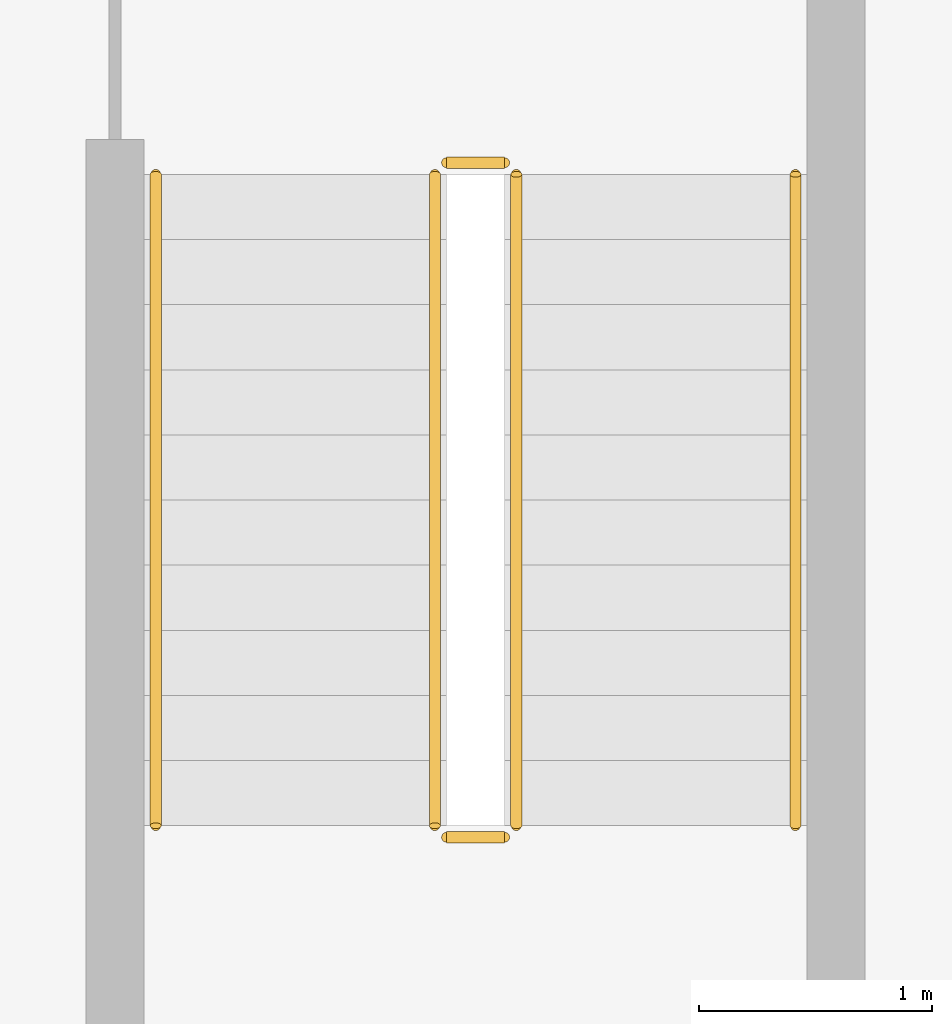
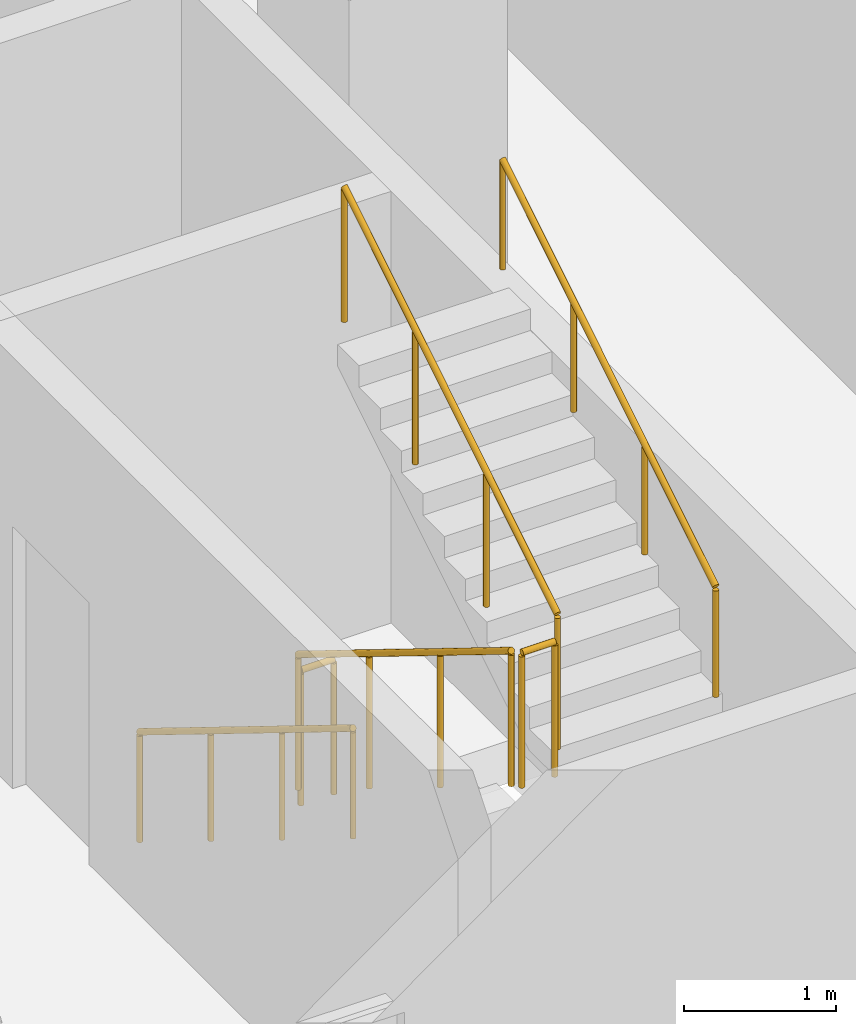
# One storey, part 23 of 27: 6 railings.
"""IFC4 building model written with IfcOpenShell, lengths in metres."""

from ifc_helpers import new_model, si_unit, direction, frame, origin, origin_2d, place, context, subcontext, project, spatial, circle, extrude, material, type_object, element, save


model = new_model("IFC4")

# Units and contexts
model_context = context("Model", 3, precision=1e-05, world=origin(), true_north=direction((0.0, 1.0)))
body_context = subcontext(model_context, "Body", "Model", "MODEL_VIEW")
ifc_project = project(units=[si_unit("LENGTHUNIT", "METRE"), si_unit("AREAUNIT", "SQUARE_METRE"), si_unit("VOLUMEUNIT", "CUBIC_METRE"), si_unit("PLANEANGLEUNIT", "RADIAN"), si_unit("MASSUNIT", "GRAM", prefix="KILO")], contexts=[model_context])

# Site, building, storey
site_placement = place(None, origin())
site = spatial("IfcSite", under=ifc_project, at=site_placement, CompositionType="ELEMENT")
building_placement = place(site_placement, origin())
building = spatial("IfcBuilding", under=site, at=building_placement, Name="Mahtab Terrace Research Tower", CompositionType="ELEMENT")
storey_placement = place(building_placement, frame((0.0, 0.0, 166.800048828125)))
storey = spatial("IfcBuildingStorey", under=building, at=storey_placement, Name="L39", CompositionType="ELEMENT", Elevation=166.800048828125)

# Railings
ifc_material = material(Name="Stainless steel AISI 304", Category="steel")
railing_type_1 = type_object("IfcRailingType", Name="Stair guard 1100", PredefinedType="GUARDRAIL", material=ifc_material)
railing_1_placement = place(storey_placement, frame((2.949951171875, -4.175048828125, 0.172607421875)))
element("IfcRailing", 1, at=railing_1_placement, inside=storey, type_object=railing_type_1, Name="L39 ST2 stair guard 1", PredefinedType="GUARDRAIL", context=body_context, shape_type="SweptSolid", body=[
    extrude(circle(Radius=0.02392578125, at=origin_2d()), frame((0.0, 0.0, 1.076171875), z_axis=(0.0, -0.851089632645, 0.525020415988), x_axis=(1.0, 0.0, 0.0)), (0.0, 0.0, 1.0), 3.2900390625),
    extrude(circle(Radius=0.02099609375, at=origin_2d()), origin(), (0.0, 0.0, 1.0), 1.052001953125),
    extrude(circle(Radius=0.02099609375, at=origin_2d()), frame((0.0, -0.933349609375, 0.57568359375)), (0.0, 0.0, 1.0), 1.052001953125),
    extrude(circle(Radius=0.02099609375, at=origin_2d()), frame((0.0, -1.86669921875, 1.151611328125)), (0.0, 0.0, 1.0), 1.052001953125),
    extrude(circle(Radius=0.02099609375, at=origin_2d()), frame((0.0, -2.800048828125, 1.727294921875)), (0.0, 0.0, 1.0), 1.052001953125),
])
railing_2_placement = place(storey_placement, frame((3.0, -7.02490234375, 1.89990234375)))
element("IfcRailing", 2, at=railing_2_placement, inside=storey, type_object=railing_type_1, Name="L39 ST2 stair guard 2", PredefinedType="GUARDRAIL", context=body_context, shape_type="SweptSolid", body=[
    extrude(circle(Radius=0.02392578125, at=origin_2d()), frame((0.0, 0.0, 1.076171875), z_axis=(1.0, 0.0, 0.0), x_axis=(0.0, 1.0, 0.0)), (0.0, 0.0, 1.0), 0.25),
    extrude(circle(Radius=0.02099609375, at=origin_2d()), origin(), (0.0, 0.0, 1.0), 1.052001953125),
    extrude(circle(Radius=0.02099609375, at=origin_2d()), frame((0.25, 0.0, 0.0)), (0.0, 0.0, 1.0), 1.052001953125),
])
railing_3_placement = place(storey_placement, frame((3.300048828125, -6.97509765625, 2.07275390625)))
element("IfcRailing", 3, at=railing_3_placement, inside=storey, type_object=railing_type_1, Name="L39 ST2 stair guard 3", PredefinedType="GUARDRAIL", context=body_context, shape_type="SweptSolid", body=[
    extrude(circle(Radius=0.02392578125, at=origin_2d()), frame((0.0, 0.0, 1.076171875), z_axis=(0.0, 0.851089632645, 0.525020415988), x_axis=(-1.0, 0.0, 0.0)), (0.0, 0.0, 1.0), 3.2900390625),
    extrude(circle(Radius=0.02099609375, at=origin_2d()), origin(), (0.0, 0.0, 1.0), 1.052001953125),
    extrude(circle(Radius=0.02099609375, at=origin_2d()), frame((0.0, 0.933349609375, 0.57568359375)), (0.0, 0.0, 1.0), 1.052001953125),
    extrude(circle(Radius=0.02099609375, at=origin_2d()), frame((0.0, 1.86669921875, 1.151611328125)), (0.0, 0.0, 1.0), 1.052001953125),
    extrude(circle(Radius=0.02099609375, at=origin_2d()), frame((0.0, 2.800048828125, 1.727294921875)), (0.0, 0.0, 1.0), 1.052001953125),
])
railing_4_placement = place(storey_placement, frame((3.0, -4.125, 0.0)))
element("IfcRailing", 4, at=railing_4_placement, inside=storey, type_object=railing_type_1, Name="L39 ST2 stair guard 4", PredefinedType="GUARDRAIL", context=body_context, shape_type="SweptSolid", body=[
    extrude(circle(Radius=0.02392578125, at=origin_2d()), frame((0.0, 0.0, 1.076171875), z_axis=(1.0, 0.0, 0.0), x_axis=(0.0, 1.0, 0.0)), (0.0, 0.0, 1.0), 0.25),
    extrude(circle(Radius=0.02099609375, at=origin_2d()), origin(), (0.0, 0.0, 1.0), 1.052001953125),
    extrude(circle(Radius=0.02099609375, at=origin_2d()), frame((0.25, 0.0, 0.0)), (0.0, 0.0, 1.0), 1.052001953125),
])
railing_type_2 = type_object("IfcRailingType", Name="Stair handrail 900", PredefinedType="HANDRAIL", material=ifc_material)
railing_5_placement = place(storey_placement, frame((1.75, -4.175048828125, 0.172607421875)))
element("IfcRailing", 5, at=railing_5_placement, inside=storey, type_object=railing_type_2, Name="L39 ST2 stair handrail 1", PredefinedType="HANDRAIL", context=body_context, shape_type="SweptSolid", body=[
    extrude(circle(Radius=0.02392578125, at=origin_2d()), frame((0.0, 0.0, 0.8759765625), z_axis=(0.0, -0.851089632645, 0.525020415988), x_axis=(1.0, 0.0, 0.0)), (0.0, 0.0, 1.0), 3.2900390625),
    extrude(circle(Radius=0.02099609375, at=origin_2d()), origin(), (0.0, 0.0, 1.0), 0.851806640625),
    extrude(circle(Radius=0.02099609375, at=origin_2d()), frame((0.0, -0.933349609375, 0.57568359375)), (0.0, 0.0, 1.0), 0.851806640625),
    extrude(circle(Radius=0.02099609375, at=origin_2d()), frame((0.0, -1.86669921875, 1.151611328125)), (0.0, 0.0, 1.0), 0.851806640625),
    extrude(circle(Radius=0.02099609375, at=origin_2d()), frame((0.0, -2.800048828125, 1.727294921875)), (0.0, 0.0, 1.0), 0.851806640625),
])
railing_6_placement = place(storey_placement, frame((4.5, -6.97509765625, 2.07275390625)))
element("IfcRailing", 6, at=railing_6_placement, inside=storey, type_object=railing_type_2, Name="L39 ST2 stair handrail 2", PredefinedType="HANDRAIL", context=body_context, shape_type="SweptSolid", body=[
    extrude(circle(Radius=0.02392578125, at=origin_2d()), frame((0.0, 0.0, 0.8759765625), z_axis=(0.0, 0.851089632645, 0.525020415988), x_axis=(-1.0, 0.0, 0.0)), (0.0, 0.0, 1.0), 3.2900390625),
    extrude(circle(Radius=0.02099609375, at=origin_2d()), origin(), (0.0, 0.0, 1.0), 0.851806640625),
    extrude(circle(Radius=0.02099609375, at=origin_2d()), frame((0.0, 0.933349609375, 0.57568359375)), (0.0, 0.0, 1.0), 0.851806640625),
    extrude(circle(Radius=0.02099609375, at=origin_2d()), frame((0.0, 1.86669921875, 1.151611328125)), (0.0, 0.0, 1.0), 0.851806640625),
    extrude(circle(Radius=0.02099609375, at=origin_2d()), frame((0.0, 2.800048828125, 1.727294921875)), (0.0, 0.0, 1.0), 0.851806640625),
])

save(model, "model.ifc")
